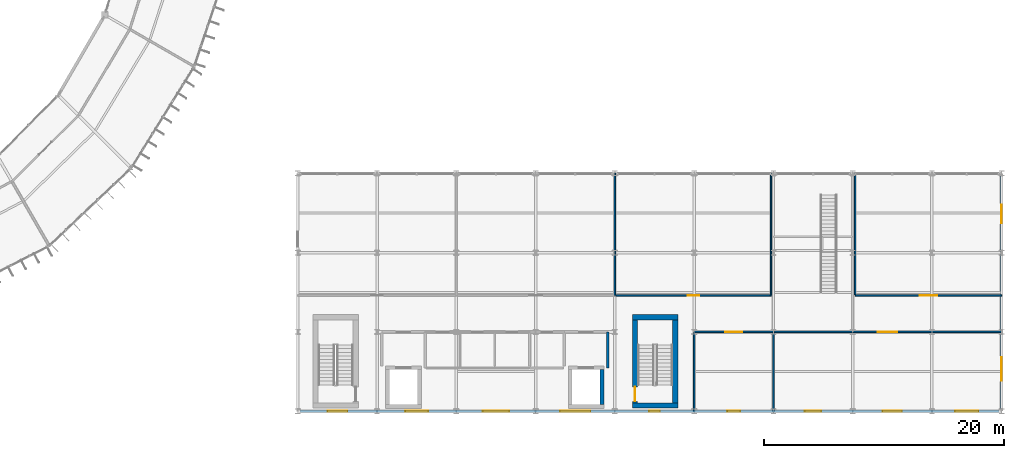
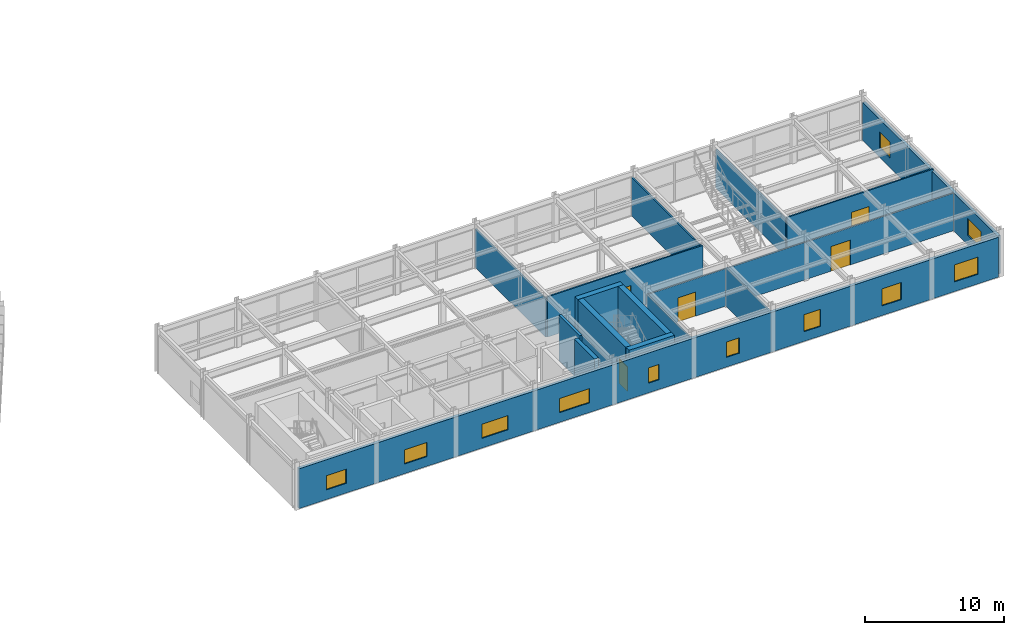
# One storey, part 144 of 157: 17 walls, 11 windows, 5 doors, 16 openings.
"""IFC4 building model written with IfcOpenShell, lengths in metres."""

import ifcopenshell
import ifcopenshell.guid

model = None  # the IFC model being written
_history = None  # IfcOwnerHistory: only IFC2X3 demands one
_inside = {}  # id of a spatial element -> (the spatial element, [elements in it])
_under = {}  # id of a project, library or spatial element -> (it, [spatial elements below it])
_declared = {}  # id of a project -> (the project, [libraries it declares])
_typed = {}  # id of a type object -> (the type object, [elements of that type])
_made_of = {}  # id of a material, layer set ... -> (it, [elements and type objects made of it])


def new_model(schema):
    """Start an empty IFC model of exactly this schema.

    Asked for "IFC4X3", IfcOpenShell would pick the latest addendum, in which some entities
    have other attributes; the version numbers below select the first issue.
    IFC2X3 requires an IfcOwnerHistory on every rooted entity: one is made here for all.
    """
    global model, _history
    if schema == "IFC4X3":
        model = ifcopenshell.file(schema_version=(4, 3, 0, 0))
    else:
        model = ifcopenshell.file(schema=schema)
    _inside.clear()
    _under.clear()
    _declared.clear()
    _typed.clear()
    _made_of.clear()
    _history = None
    if model.schema == "IFC2X3":
        org = make("IfcOrganization", Name="unknown")
        user = make(
            "IfcPersonAndOrganization",
            ThePerson=make("IfcPerson", FamilyName="unknown"),
            TheOrganization=org,
        )
        app = make(
            "IfcApplication",
            ApplicationDeveloper=org,
            Version="unknown",
            ApplicationFullName="unknown",
            ApplicationIdentifier="unknown",
        )
        _history = make(
            "IfcOwnerHistory",
            OwningUser=user,
            OwningApplication=app,
            ChangeAction="ADDED",
            CreationDate=0,
        )
    return model


def make(cls, **values):
    """One entity of the class cls with the attributes given. An attribute that is None is left unset."""
    return model.create_entity(
        cls, **{name: value for name, value in values.items() if value is not None}
    )


def rooted(cls, **values):
    """An entity with a GlobalId (a new one), such as an element, a storey or a relation."""
    return make(cls, GlobalId=ifcopenshell.guid.new(), OwnerHistory=_history, **values)


def si_unit(unit_type, name, prefix=None):
    """IfcSIUnit, for example si_unit("LENGTHUNIT", "METRE", prefix="MILLI")."""
    return make("IfcSIUnit", UnitType=unit_type, Prefix=prefix, Name=name)


def assignment(units):
    """IfcUnitAssignment: the units of a project."""
    return None if units is None else make("IfcUnitAssignment", Units=units)


def point(xyz):
    """IfcCartesianPoint."""
    return None if xyz is None else make("IfcCartesianPoint", Coordinates=xyz)


def direction(xyz):
    """IfcDirection."""
    return None if xyz is None else make("IfcDirection", DirectionRatios=xyz)


def frame(location, z_axis=None, x_axis=None):
    """IfcAxis2Placement3D, a coordinate frame: its origin and axes. An axis left out is left unset."""
    return make(
        "IfcAxis2Placement3D",
        Location=point(location),
        Axis=direction(z_axis),
        RefDirection=direction(x_axis),
    )


def frame_2d(location, x_axis=None):
    """IfcAxis2Placement2D, a coordinate frame in the plane: its origin and x axis."""
    return make(
        "IfcAxis2Placement2D", Location=point(location), RefDirection=direction(x_axis)
    )


def origin():
    """The frame at (0, 0, 0) with its axes left unset."""
    return frame((0.0, 0.0, 0.0))


def place(relative_to, where):
    """IfcLocalPlacement: puts the frame where relative to a parent placement (None: the world)."""
    return make(
        "IfcLocalPlacement", PlacementRelTo=relative_to, RelativePlacement=where
    )


def context(
    kind, dimensions, precision=None, world=None, true_north=None, identifier=None
):
    """IfcGeometricRepresentationContext, for example the 3D "Model" context."""
    return make(
        "IfcGeometricRepresentationContext",
        ContextIdentifier=identifier,
        ContextType=kind,
        CoordinateSpaceDimension=dimensions,
        Precision=precision,
        WorldCoordinateSystem=world,
        TrueNorth=true_north,
    )


def subcontext(parent, identifier, kind, view, scale=None):
    """IfcGeometricRepresentationSubContext, for example "Body" below "Model"."""
    return make(
        "IfcGeometricRepresentationSubContext",
        ContextIdentifier=identifier,
        ContextType=kind,
        ParentContext=parent,
        TargetScale=scale,
        TargetView=view,
    )


def project(units=None, contexts=None):
    """IfcProject with its units and contexts."""
    return rooted(
        "IfcProject",
        Name="project",
        RepresentationContexts=contexts,
        UnitsInContext=assignment(units),
    )


def spatial(cls, under=None, at=None, **own):
    """A site, building, storey or space (cls), placed at a placement, below another one or the project."""
    s = rooted(cls, ObjectPlacement=at, **own)
    if under is not None:
        _under.setdefault(under.id(), (under, []))[1].append(s)
    return s


def profile(cls, at=None, kind="AREA", **sizes):
    """A parametric profile (cls). Its sizes go by their IFC names, for example OverallWidth=200.0."""
    return make(cls, ProfileType=kind, Position=at, **sizes)


def rectangle(**sizes):
    """IfcRectangleProfileDef."""
    return profile("IfcRectangleProfileDef", **sizes)


def extrude(swept, where, along, depth):
    """IfcExtrudedAreaSolid: the profile swept, set in the frame where, extruded along a direction by depth."""
    return make(
        "IfcExtrudedAreaSolid",
        SweptArea=swept,
        Position=where,
        ExtrudedDirection=direction(along),
        Depth=depth,
    )


def shape(context_of_items, identifier, shape_type, items):
    """IfcShapeRepresentation: the items that make up one representation, for example the "Body"."""
    return make(
        "IfcShapeRepresentation",
        ContextOfItems=context_of_items,
        RepresentationIdentifier=identifier,
        RepresentationType=shape_type,
        Items=items,
    )


def material(Name=None, Category=None):
    """IfcMaterial."""
    return make("IfcMaterial", Name=Name, Category=Category)


def layer(
    of_material, thickness, ventilated=None, Name=None, Category=None, Priority=None
):
    """IfcMaterialLayer: one layer of a wall or slab, of a material (None: an air gap)."""
    return make(
        "IfcMaterialLayer",
        Material=of_material,
        LayerThickness=thickness,
        IsVentilated=ventilated,
        Name=Name,
        Category=Category,
        Priority=Priority,
    )


def layer_set(layers, Name=None):
    """IfcMaterialLayerSet."""
    return make("IfcMaterialLayerSet", MaterialLayers=layers, LayerSetName=Name)


def made_of(thing, what):
    """Note that an element or type object is made of a material, layer set ...; save() writes the relation."""
    if what is not None:
        _made_of.setdefault(what.id(), (what, []))[1].append(thing)
    return thing


def type_object(cls, material=None, **own):
    """A type object (cls), such as IfcWallType, which elements share."""
    return made_of(rooted(cls, **own), material)


def element(
    cls,
    number,
    at=None,
    inside=None,
    cuts=None,
    type_object=None,
    material=None,
    context=None,
    identifier="Body",
    shape_type=None,
    held_by="IfcProductDefinitionShape",
    body=None,
    shapes=None,
    **own,
):
    """One element of the class cls, such as IfcWall. Its Tag is "e" and its number.

    at: its placement. inside: the storey or other place that contains it. cuts: it is an
    opening in that element (IfcRelVoidsElement). A single representation is given by context,
    identifier, shape_type and body (its items); several are given by shapes. held_by: the class
    of the entity that holds the representations. save() writes the other relations.
    """
    e = rooted(cls, Tag="e%d" % number, ObjectPlacement=at, **own)
    if body is not None:
        shapes = [shape(context, identifier, shape_type, body)]
    if shapes is not None:
        e.Representation = make(held_by, Representations=shapes)
    if inside is not None:
        _inside.setdefault(inside.id(), (inside, []))[1].append(e)
    if cuts is not None:
        rooted(
            "IfcRelVoidsElement", RelatingBuildingElement=cuts, RelatedOpeningElement=e
        )
    if type_object is not None:
        _typed.setdefault(type_object.id(), (type_object, []))[1].append(e)
    return made_of(e, material)


def fill(opening, filler):
    """IfcRelFillsElement: the door or window that sits in an opening."""
    return rooted(
        "IfcRelFillsElement",
        RelatingOpeningElement=opening,
        RelatedBuildingElement=filler,
    )


def aggregate(whole, parts):
    """IfcRelAggregates: a whole, such as a stair, and the parts it consists of."""
    return rooted("IfcRelAggregates", RelatingObject=whole, RelatedObjects=parts)


def save(model, path):
    """Write the relations noted so far, then the file.

    IfcRelAggregates (storeys below a building ...), IfcRelContainedInSpatialStructure (elements
    in a storey), IfcRelDefinesByType, IfcRelAssociatesMaterial and IfcRelDeclares: one each for
    every whole, place, type object, material and project.
    """
    for whole, parts in _under.values():
        aggregate(whole, parts)
    for where, things in _inside.values():
        rooted(
            "IfcRelContainedInSpatialStructure",
            RelatedElements=things,
            RelatingStructure=where,
        )
    for kind, things in _typed.values():
        rooted("IfcRelDefinesByType", RelatedObjects=things, RelatingType=kind)
    for what, things in _made_of.values():
        rooted("IfcRelAssociatesMaterial", RelatedObjects=things, RelatingMaterial=what)
    for by, libraries in _declared.values():
        rooted("IfcRelDeclares", RelatingContext=by, RelatedDefinitions=libraries)
    model.write(path)


model = new_model("IFC4")

# Units and contexts
model_context = context("Model", 3, precision=1e-05, world=origin(), true_north=direction((0.0, 1.0)))
body_context = subcontext(model_context, "Body", "Model", "MODEL_VIEW")
ifc_project = project(units=[si_unit("LENGTHUNIT", "METRE"), si_unit("AREAUNIT", "SQUARE_METRE"), si_unit("VOLUMEUNIT", "CUBIC_METRE"), si_unit("PLANEANGLEUNIT", "RADIAN"), si_unit("MASSUNIT", "GRAM", prefix="KILO")], contexts=[model_context])

# Site, building, storey
site_placement = place(None, origin())
site = spatial("IfcSite", under=ifc_project, at=site_placement, CompositionType="ELEMENT")
building_placement = place(site_placement, origin())
building = spatial("IfcBuilding", under=site, at=building_placement, Name="Karori Crest Natural Sciences Institute", CompositionType="ELEMENT")
storey_placement = place(building_placement, frame((0.0, 0.0, 13.300048828125)))
storey = spatial("IfcBuildingStorey", under=building, at=storey_placement, Name="L03", CompositionType="ELEMENT", Elevation=13.300048828125)

# Walls
ifc_material_1 = material(Name="Concrete 50 MPa", Category="concrete")
ifc_layer_1 = layer(ifc_material_1, 0.449951171875, Name="Concrete 50 MPa")
ifc_layer_set_1 = layer_set([ifc_layer_1], Name="Concrete 50 MPa")
wall_type_1 = type_object("IfcWallType", Name="IWT-01", PredefinedType="SHEAR", material=ifc_layer_set_1)
for number, where, z_axis, x_axis, name in (
    (1, (131.449951171875, 1.27490234375, 0.0), (0.0, 0.0, 1.0), (1.0, 0.0, 0.0), "Shear wall IW-0133"),
    (2, (131.449951171875, 8.625, 0.0), (0.0, 0.0, 1.0), (1.0, 0.0, 0.0), "Shear wall IW-0134"),
):
    element("IfcWall", number, at=place(storey_placement, frame(where, z_axis=z_axis, x_axis=x_axis)), inside=storey, type_object=wall_type_1, Name=name, PredefinedType="SHEAR", context=body_context, shape_type="SweptSolid", body=[
        extrude(rectangle(XDim=3.800048828125, YDim=0.449951171875, at=frame_2d((1.89990234375, 0.0))), origin(), (0.0, 0.0, 1.0), 4.02001953125),
    ])

# Wall, opening, door
wall_1_placement = place(storey_placement, frame((131.675048828125, 1.501953125, 0.0), z_axis=(0.0, 0.0, 1.0), x_axis=(0.0, 1.0, 0.0)))
wall_1 = element("IfcWall", 3, at=wall_1_placement, inside=storey, type_object=wall_type_1, Name="Shear wall IW-0135", PredefinedType="SHEAR", context=body_context, shape_type="SweptSolid", body=[
    extrude(rectangle(XDim=6.89599609375, YDim=0.449951171875, at=frame_2d((3.447998046875, 0.0))), origin(), (0.0, 0.0, 1.0), 4.02001953125),
])
opening_1_placement = place(wall_1_placement, frame((0.1201171875, 0.0, 0.0)))
opening_1 = element("IfcOpeningElement", 4, at=opening_1_placement, cuts=wall_1, Name="Opening ID-0034", PredefinedType="OPENING", context=body_context, shape_type="SweptSolid", body=[
    extrude(rectangle(XDim=1.199951171875, YDim=2.14990234375, at=frame_2d((0.60009765625, 1.074951171875))), frame((0.0, 0.23486328125, 0.0), z_axis=(0.0, -1.0, 0.0), x_axis=(1.0, 0.0, 0.0)), (0.0, 0.0, 1.0), 0.469970703125),
])
ifc_material_2 = material(Name="Stainless steel 316 and fire-rated timber", Category="steel")
door_type_1 = type_object("IfcDoorType", Name="IDT-01", OperationType="NOTDEFINED", PredefinedType="DOOR", material=ifc_material_2)
door_1_placement = place(opening_1_placement, origin())
door_1 = element("IfcDoor", 5, at=door_1_placement, inside=storey, type_object=door_type_1, Name="Stair ST-04 fire door ID-0034", OperationType="SINGLE_SWING_RIGHT", OverallHeight=2.14990234375, OverallWidth=1.199951171875, PredefinedType="DOOR", context=body_context, shape_type="SweptSolid", body=[
    extrude(rectangle(XDim=1.199951171875, YDim=2.14990234375, at=frame_2d((0.60009765625, 1.074951171875))), frame((0.0, 0.02490234375, 0.0), z_axis=(0.0, -1.0, 0.0), x_axis=(1.0, 0.0, 0.0)), (0.0, 0.0, 1.0), 0.050048828125),
])
fill(opening_1, door_1)

# Walls
wall_2_placement = place(storey_placement, frame((135.02490234375, 1.501953125, 0.0), z_axis=(0.0, 0.0, 1.0), x_axis=(0.0, 1.0, 0.0)))
element("IfcWall", 6, at=wall_2_placement, inside=storey, type_object=wall_type_1, Name="Shear wall IW-0136", PredefinedType="SHEAR", context=body_context, shape_type="SweptSolid", body=[
    extrude(rectangle(XDim=6.89599609375, YDim=0.449951171875, at=frame_2d((3.447998046875, 0.0))), origin(), (0.0, 0.0, 1.0), 4.02001953125),
])
ifc_layer_2 = layer(ifc_material_1, 0.320068359375, Name="Concrete 50 MPa")
ifc_layer_set_2 = layer_set([ifc_layer_2], Name="Concrete 50 MPa")
wall_type_2 = type_object("IfcWallType", Name="IWT-03", PredefinedType="SHEAR", material=ifc_layer_set_2)
wall_3_placement = place(storey_placement, frame((128.919921875, 1.342041015625, 0.0), z_axis=(0.0, 0.0, 1.0), x_axis=(0.0, 1.0, 0.0)))
element("IfcWall", 7, at=wall_3_placement, inside=storey, type_object=wall_type_2, Name="Shear wall IW-0372", PredefinedType="SHEAR", context=body_context, shape_type="SweptSolid", body=[
    extrude(rectangle(XDim=2.916015625, YDim=0.320068359375, at=frame_2d((1.4580078125, 0.0))), origin(), (0.0, 0.0, 1.0), 4.02001953125),
])
ifc_material_3 = material(Name="Concrete 40 MPa", Category="concrete")
ifc_layer_3 = layer(ifc_material_3, 0.199951171875, Name="Concrete 40 MPa")
ifc_layer_set_3 = layer_set([ifc_layer_3], Name="Concrete 40 MPa")
wall_type_3 = type_object("IfcWallType", Name="IWT-04", PredefinedType="SOLIDWALL", material=ifc_layer_set_3)
wall_4_placement = place(storey_placement, frame((129.39990234375, 4.39990234375, 0.0), z_axis=(0.0, 0.0, 1.0), x_axis=(0.0, 1.0, 0.0)))
element("IfcWall", 8, at=wall_4_placement, inside=storey, type_object=wall_type_3, Name="Partition wall IW-0667", PredefinedType="SOLIDWALL", context=body_context, shape_type="SweptSolid", body=[
    extrude(rectangle(XDim=3.0, YDim=0.199951171875, at=frame_2d((1.5, 0.0))), origin(), (0.0, 0.0, 1.0), 4.02001953125),
])

# Wall, opening, door
ifc_material_4 = material(Name="Write-up office acoustic partition")
ifc_layer_4 = layer(ifc_material_4, 0.1201171875, Name="Write-up office acoustic partition")
ifc_layer_set_4 = layer_set([ifc_layer_4], Name="Write-up office acoustic partition")
wall_type_4 = type_object("IfcWallType", Name="IWT-08", PredefinedType="PARTITIONING", material=ifc_layer_set_4)
wall_5_placement = place(storey_placement, frame((136.60009765625, 7.39990234375, 0.0), z_axis=(0.0, 0.0, 1.0), x_axis=(1.0, 0.0, 0.0)))
wall_5 = element("IfcWall", 9, at=wall_5_placement, inside=storey, type_object=wall_type_4, Name="Partition wall IW-0679", PredefinedType="PARTITIONING", context=body_context, shape_type="SweptSolid", body=[
    extrude(rectangle(XDim=6.599853515625, YDim=0.1201171875, at=frame_2d((3.2998046875, 0.0))), origin(), (0.0, 0.0, 1.0), 3.29296875),
])
opening_2_placement = place(wall_5_placement, frame((2.574951171875, 0.0, 0.0)))
opening_2 = element("IfcOpeningElement", 10, at=opening_2_placement, cuts=wall_5, Name="Opening ID-0130", PredefinedType="OPENING", context=body_context, shape_type="SweptSolid", body=[
    extrude(rectangle(XDim=1.449951171875, YDim=2.1201171875, at=frame_2d((0.72509765625, 1.06005859375))), frame((0.0, 0.070068359375, 0.0), z_axis=(0.0, -1.0, 0.0), x_axis=(1.0, 0.0, 0.0)), (0.0, 0.0, 1.0), 0.14013671875),
])
ifc_material_5 = material(Name="Anodised aluminium and acoustic timber", Category="wood")
door_type_2 = type_object("IfcDoorType", Name="IDT-11", OperationType="DOUBLE_DOOR_SINGLE_SWING", PredefinedType="DOOR", material=ifc_material_5)
door_2_placement = place(opening_2_placement, origin())
door_2 = element("IfcDoor", 11, at=door_2_placement, inside=storey, type_object=door_type_2, Name="Seminar Room door ID-0130", OperationType="DOUBLE_DOOR_SINGLE_SWING", OverallHeight=2.1201171875, OverallWidth=1.449951171875, PredefinedType="DOOR", context=body_context, shape_type="SweptSolid", body=[
    extrude(rectangle(XDim=1.449951171875, YDim=2.1201171875, at=frame_2d((0.72509765625, 1.06005859375))), frame((0.0, 0.02490234375, 0.0), z_axis=(0.0, -1.0, 0.0), x_axis=(1.0, 0.0, 0.0)), (0.0, 0.0, 1.0), 0.050048828125),
])
fill(opening_2, door_2)

# Walls
wall_6_placement = place(storey_placement, frame((136.60009765625, 0.800048828125, 0.0), z_axis=(0.0, 0.0, 1.0), x_axis=(0.0, 1.0, 0.0)))
element("IfcWall", 12, at=wall_6_placement, inside=storey, type_object=wall_type_4, Name="Partition wall IW-0680", PredefinedType="PARTITIONING", context=body_context, shape_type="SweptSolid", body=[
    extrude(rectangle(XDim=6.537841796875, YDim=0.1201171875, at=frame_2d((3.26904296875, 0.0))), origin(), (0.0, 0.0, 1.0), 3.3720703125),
])
wall_7_placement = place(storey_placement, frame((143.199951171875, 0.800048828125, 0.0), z_axis=(0.0, 0.0, 1.0), x_axis=(0.0, 1.0, 0.0)))
element("IfcWall", 13, at=wall_7_placement, inside=storey, type_object=wall_type_4, Name="Partition wall IW-0681", PredefinedType="PARTITIONING", context=body_context, shape_type="SweptSolid", body=[
    extrude(rectangle(XDim=6.599853515625, YDim=0.1201171875, at=frame_2d((3.2998046875, 0.0))), origin(), (0.0, 0.0, 1.0), 3.3720703125),
])

# Wall, opening, door
wall_8_placement = place(storey_placement, frame((143.201904296875, 7.39990234375, 0.0), z_axis=(0.0, 0.0, 1.0), x_axis=(1.0, 0.0, 0.0)))
wall_8 = element("IfcWall", 14, at=wall_8_placement, inside=storey, type_object=wall_type_4, Name="Partition wall IW-0682", PredefinedType="PARTITIONING", context=body_context, shape_type="SweptSolid", body=[
    extrude(rectangle(XDim=18.998046875, YDim=0.1201171875, at=frame_2d((9.4990234375, 0.0))), origin(), (0.0, 0.0, 1.0), 3.29296875),
])
opening_3_placement = place(wall_8_placement, frame((8.698974609375, 0.0, 0.0)))
opening_3 = element("IfcOpeningElement", 15, at=opening_3_placement, cuts=wall_8, Name="Opening ID-0131", PredefinedType="OPENING", context=body_context, shape_type="SweptSolid", body=[
    extrude(rectangle(XDim=1.60009765625, YDim=2.179931640625, at=frame_2d((0.800048828125, 1.08984375))), frame((0.0, 0.070068359375, 0.0), z_axis=(0.0, -1.0, 0.0), x_axis=(1.0, 0.0, 0.0)), (0.0, 0.0, 1.0), 0.14013671875),
])
door_type_3 = type_object("IfcDoorType", Name="IDT-13", OperationType="DOUBLE_DOOR_SINGLE_SWING", PredefinedType="DOOR", material=ifc_material_5)
door_3_placement = place(opening_3_placement, origin())
door_3 = element("IfcDoor", 16, at=door_3_placement, inside=storey, type_object=door_type_3, Name="Colloquium Suite door ID-0131", OperationType="DOUBLE_DOOR_SINGLE_SWING", OverallHeight=2.179931640625, OverallWidth=1.60009765625, PredefinedType="DOOR", context=body_context, shape_type="SweptSolid", body=[
    extrude(rectangle(XDim=1.60009765625, YDim=2.179931640625, at=frame_2d((0.800048828125, 1.08984375))), frame((0.0, 0.02490234375, 0.0), z_axis=(0.0, -1.0, 0.0), x_axis=(1.0, 0.0, 0.0)), (0.0, 0.0, 1.0), 0.050048828125),
])
fill(opening_3, door_3)

# Wall
wall_9_placement = place(storey_placement, frame((130.0, 10.449951171875, 0.0), z_axis=(0.0, 0.0, 1.0), x_axis=(0.0, 1.0, 0.0)))
element("IfcWall", 17, at=wall_9_placement, inside=storey, type_object=wall_type_4, Name="Partition wall IW-0686", PredefinedType="PARTITIONING", context=body_context, shape_type="SweptSolid", body=[
    extrude(rectangle(XDim=10.150146484375, YDim=0.1201171875, at=frame_2d((5.0751953125, 0.0))), origin(), (0.0, 0.0, 1.0), 3.3720703125),
])

# Wall, opening, door
wall_10_placement = place(storey_placement, frame((130.06201171875, 10.449951171875, 0.0), z_axis=(0.0, 0.0, 1.0), x_axis=(1.0, 0.0, 0.0)))
wall_10 = element("IfcWall", 18, at=wall_10_placement, inside=storey, type_object=wall_type_4, Name="Partition wall IW-0687", PredefinedType="PARTITIONING", context=body_context, shape_type="SweptSolid", body=[
    extrude(rectangle(XDim=12.93798828125, YDim=0.1201171875, at=frame_2d((6.468994140625, 0.0))), origin(), (0.0, 0.0, 1.0), 3.5458984375),
])
opening_4_placement = place(wall_10_placement, frame((5.993896484375, 0.0, 0.0)))
opening_4 = element("IfcOpeningElement", 19, at=opening_4_placement, cuts=wall_10, Name="Opening ID-0134", PredefinedType="OPENING", context=body_context, shape_type="SweptSolid", body=[
    extrude(rectangle(XDim=0.949951171875, YDim=2.10009765625, at=frame_2d((0.47509765625, 1.050048828125))), frame((0.0, 0.070068359375, 0.0), z_axis=(0.0, -1.0, 0.0), x_axis=(1.0, 0.0, 0.0)), (0.0, 0.0, 1.0), 0.14013671875),
])
door_type_4 = type_object("IfcDoorType", Name="IDT-08", OperationType="NOTDEFINED", PredefinedType="DOOR", material=ifc_material_5)
door_4_placement = place(opening_4_placement, origin())
door_4 = element("IfcDoor", 20, at=door_4_placement, inside=storey, type_object=door_type_4, Name="Quantitative Ecology Studio door ID-0134", OperationType="SINGLE_SWING_LEFT", OverallHeight=2.10009765625, OverallWidth=0.949951171875, PredefinedType="DOOR", context=body_context, shape_type="SweptSolid", body=[
    extrude(rectangle(XDim=0.949951171875, YDim=2.10009765625, at=frame_2d((0.47509765625, 1.050048828125))), frame((0.0, 0.02490234375, 0.0), z_axis=(0.0, -1.0, 0.0), x_axis=(1.0, 0.0, 0.0)), (0.0, 0.0, 1.0), 0.050048828125),
])
fill(opening_4, door_4)

# Wall
wall_11_placement = place(storey_placement, frame((143.0, 10.449951171875, 0.0), z_axis=(0.0, 0.0, 1.0), x_axis=(0.0, 1.0, 0.0)))
element("IfcWall", 21, at=wall_11_placement, inside=storey, type_object=wall_type_4, Name="Partition wall IW-0688", PredefinedType="PARTITIONING", context=body_context, shape_type="SweptSolid", body=[
    extrude(rectangle(XDim=10.150146484375, YDim=0.1201171875, at=frame_2d((5.0751953125, 0.0))), origin(), (0.0, 0.0, 1.0), 3.3720703125),
])

# Wall, opening, door
wall_12_placement = place(storey_placement, frame((150.0, 10.449951171875, 0.0), z_axis=(0.0, 0.0, 1.0), x_axis=(1.0, 0.0, 0.0)))
wall_12 = element("IfcWall", 22, at=wall_12_placement, inside=storey, type_object=wall_type_4, Name="Partition wall IW-0689", PredefinedType="PARTITIONING", context=body_context, shape_type="SweptSolid", body=[
    extrude(rectangle(XDim=12.199951171875, YDim=0.1201171875, at=frame_2d((6.10009765625, 0.0))), origin(), (0.0, 0.0, 1.0), 3.5458984375),
])
opening_5_placement = place(wall_12_placement, frame((5.375, 0.0, 0.0)))
opening_5 = element("IfcOpeningElement", 23, at=opening_5_placement, cuts=wall_12, Name="Opening ID-0135", PredefinedType="OPENING", context=body_context, shape_type="SweptSolid", body=[
    extrude(rectangle(XDim=1.449951171875, YDim=2.1201171875, at=frame_2d((0.72509765625, 1.06005859375))), frame((0.0, 0.070068359375, 0.0), z_axis=(0.0, -1.0, 0.0), x_axis=(1.0, 0.0, 0.0)), (0.0, 0.0, 1.0), 0.14013671875),
])
door_5_placement = place(opening_5_placement, origin())
door_5 = element("IfcDoor", 24, at=door_5_placement, inside=storey, type_object=door_type_2, Name="Seminar Room door ID-0135", OperationType="DOUBLE_DOOR_SINGLE_SWING", OverallHeight=2.1201171875, OverallWidth=1.449951171875, PredefinedType="DOOR", context=body_context, shape_type="SweptSolid", body=[
    extrude(rectangle(XDim=1.449951171875, YDim=2.1201171875, at=frame_2d((0.72509765625, 1.06005859375))), frame((0.0, 0.02490234375, 0.0), z_axis=(0.0, -1.0, 0.0), x_axis=(1.0, 0.0, 0.0)), (0.0, 0.0, 1.0), 0.050048828125),
])
fill(opening_5, door_5)

# Wall
wall_13_placement = place(storey_placement, frame((150.0, 10.511962890625, 0.0), z_axis=(0.0, 0.0, 1.0), x_axis=(0.0, 1.0, 0.0)))
element("IfcWall", 25, at=wall_13_placement, inside=storey, type_object=wall_type_4, Name="Partition wall IW-0690", PredefinedType="PARTITIONING", context=body_context, shape_type="SweptSolid", body=[
    extrude(rectangle(XDim=10.088134765625, YDim=0.1201171875, at=frame_2d((5.0439453125, 0.0))), origin(), (0.0, 0.0, 1.0), 3.3720703125),
])

# Wall, openings, windows
ifc_material_6 = material(Name="Precast concrete 40 MPa", Category="concrete")
ifc_layer_5 = layer(ifc_material_6, 0.239990234375, Name="Precast concrete 40 MPa")
ifc_layer_set_5 = layer_set([ifc_layer_5], Name="Precast concrete 40 MPa")
wall_type_5 = type_object("IfcWallType", Name="WT-04", PredefinedType="SOLIDWALL", material=ifc_layer_set_5)
wall_14_placement = place(storey_placement, frame((162.199951171875, 20.402099609375, 0.0), z_axis=(0.0, 0.0, 1.0), x_axis=(0.0, -1.0, 0.0)))
wall_14 = element("IfcWall", 26, at=wall_14_placement, inside=storey, type_object=wall_type_5, Name="Exterior wall EW-0204", PredefinedType="SOLIDWALL", context=body_context, shape_type="SweptSolid", body=[
    extrude(rectangle(XDim=19.404052734375, YDim=0.239990234375, at=frame_2d((9.7021484375, 0.0))), origin(), (0.0, 0.0, 1.0), 3.3720703125),
])
opening_6_placement = place(wall_14_placement, frame((2.39990234375, 0.0, 0.85009765625)))
opening_6 = element("IfcOpeningElement", 27, at=opening_6_placement, cuts=wall_14, Name="Opening WN-0157", PredefinedType="OPENING", context=body_context, shape_type="SweptSolid", body=[
    extrude(rectangle(XDim=1.550048828125, YDim=1.39990234375, at=frame_2d((0.77490234375, 0.699951171875))), frame((0.0, 0.1298828125, 0.0), z_axis=(0.0, -1.0, 0.0), x_axis=(1.0, 0.0, 0.0)), (0.0, 0.0, 1.0), 0.260009765625),
])
opening_7_placement = place(wall_14_placement, frame((15.10009765625, 0.0, 0.85009765625)))
opening_7 = element("IfcOpeningElement", 28, at=opening_7_placement, cuts=wall_14, Name="Opening WN-0158", PredefinedType="OPENING", context=body_context, shape_type="SweptSolid", body=[
    extrude(rectangle(XDim=1.949951171875, YDim=1.5, at=frame_2d((0.97509765625, 0.75))), frame((0.0, 0.1298828125, 0.0), z_axis=(0.0, -1.0, 0.0), x_axis=(1.0, 0.0, 0.0)), (0.0, 0.0, 1.0), 0.260009765625),
])
ifc_material_7 = material(Name="Double low-E laminated glass", Category="glass")
window_type_1 = type_object("IfcWindowType", Name="WNT-04", PartitioningType="SINGLE_PANEL", PredefinedType="WINDOW", material=ifc_material_7)
window_1_placement = place(opening_6_placement, origin())
window_1 = element("IfcWindow", 29, at=window_1_placement, inside=storey, type_object=window_type_1, Name="Window WN-0157", OverallHeight=1.39990234375, OverallWidth=1.550048828125, PartitioningType="SINGLE_PANEL", PredefinedType="WINDOW", context=body_context, shape_type="SweptSolid", body=[
    extrude(rectangle(XDim=1.550048828125, YDim=1.39990234375, at=frame_2d((0.77490234375, 0.699951171875))), frame((0.0, 0.030029296875, 0.0), z_axis=(0.0, -1.0, 0.0), x_axis=(1.0, 0.0, 0.0)), (0.0, 0.0, 1.0), 0.06005859375),
])
fill(opening_6, window_1)
window_type_2 = type_object("IfcWindowType", Name="WNT-21", PartitioningType="SINGLE_PANEL", PredefinedType="WINDOW", material=ifc_material_7)
window_2_placement = place(opening_7_placement, origin())
window_2 = element("IfcWindow", 30, at=window_2_placement, inside=storey, type_object=window_type_2, Name="Window WN-0158", OverallHeight=1.5, OverallWidth=1.949951171875, PartitioningType="SINGLE_PANEL", PredefinedType="WINDOW", context=body_context, shape_type="SweptSolid", body=[
    extrude(rectangle(XDim=1.949951171875, YDim=1.5, at=frame_2d((0.97509765625, 0.75))), frame((0.0, 0.030029296875, 0.0), z_axis=(0.0, -1.0, 0.0), x_axis=(1.0, 0.0, 0.0)), (0.0, 0.0, 1.0), 0.06005859375),
])
fill(opening_7, window_2)

wall_15_placement = place(storey_placement, frame((162.001953125, 0.800048828125, 0.0), z_axis=(0.0, 0.0, 1.0), x_axis=(-1.0, 0.0, 0.0)))
wall_15 = element("IfcWall", 31, at=wall_15_placement, inside=storey, type_object=wall_type_5, Name="Exterior wall EW-0205", PredefinedType="SOLIDWALL", context=body_context, shape_type="SweptSolid", body=[
    extrude(rectangle(XDim=58.203857421875, YDim=0.239990234375, at=frame_2d((29.10205078125, 0.0))), origin(), (0.0, 0.0, 1.0), 3.5048828125),
])
opening_8_placement = place(wall_15_placement, frame((54.277099609375, 0.0, 0.85009765625)))
opening_8 = element("IfcOpeningElement", 32, at=opening_8_placement, cuts=wall_15, Name="Opening WN-0159", PredefinedType="OPENING", context=body_context, shape_type="SweptSolid", body=[
    extrude(rectangle(XDim=1.64990234375, YDim=1.25, at=frame_2d((0.824951171875, 0.625))), frame((0.0, 0.1298828125, 0.0), z_axis=(0.0, -1.0, 0.0), x_axis=(1.0, 0.0, 0.0)), (0.0, 0.0, 1.0), 0.260009765625),
])
opening_9_placement = place(wall_15_placement, frame((47.552001953125, 0.0, 0.85009765625)))
opening_9 = element("IfcOpeningElement", 33, at=opening_9_placement, cuts=wall_15, Name="Opening WN-0160", PredefinedType="OPENING", context=body_context, shape_type="SweptSolid", body=[
    extrude(rectangle(XDim=1.89990234375, YDim=1.25, at=frame_2d((0.949951171875, 0.625))), frame((0.0, 0.1298828125, 0.0), z_axis=(0.0, -1.0, 0.0), x_axis=(1.0, 0.0, 0.0)), (0.0, 0.0, 1.0), 0.260009765625),
])
opening_10_placement = place(wall_15_placement, frame((40.802001953125, 0.0, 0.85009765625)))
opening_10 = element("IfcOpeningElement", 34, at=opening_10_placement, cuts=wall_15, Name="Opening WN-0161", PredefinedType="OPENING", context=body_context, shape_type="SweptSolid", body=[
    extrude(rectangle(XDim=2.199951171875, YDim=1.25, at=frame_2d((1.10009765625, 0.625))), frame((0.0, 0.1298828125, 0.0), z_axis=(0.0, -1.0, 0.0), x_axis=(1.0, 0.0, 0.0)), (0.0, 0.0, 1.0), 0.260009765625),
])
opening_11_placement = place(wall_15_placement, frame((34.052001953125, 0.0, 0.85009765625)))
opening_11 = element("IfcOpeningElement", 35, at=opening_11_placement, cuts=wall_15, Name="Opening WN-0162", PredefinedType="OPENING", context=body_context, shape_type="SweptSolid", body=[
    extrude(rectangle(XDim=2.5, YDim=1.25, at=frame_2d((1.25, 0.625))), frame((0.0, 0.1298828125, 0.0), z_axis=(0.0, -1.0, 0.0), x_axis=(1.0, 0.0, 0.0)), (0.0, 0.0, 1.0), 0.260009765625),
])
opening_12_placement = place(wall_15_placement, frame((28.251953125, 0.0, 0.85009765625)))
opening_12 = element("IfcOpeningElement", 36, at=opening_12_placement, cuts=wall_15, Name="Opening WN-0163", PredefinedType="OPENING", context=body_context, shape_type="SweptSolid", body=[
    extrude(rectangle(XDim=0.89990234375, YDim=1.35009765625, at=frame_2d((0.449951171875, 0.675048828125))), frame((0.0, 0.1298828125, 0.0), z_axis=(0.0, -1.0, 0.0), x_axis=(1.0, 0.0, 0.0)), (0.0, 0.0, 1.0), 0.260009765625),
])
opening_13_placement = place(wall_15_placement, frame((21.576904296875, 0.0, 0.85009765625)))
opening_13 = element("IfcOpeningElement", 37, at=opening_13_placement, cuts=wall_15, Name="Opening WN-0164", PredefinedType="OPENING", context=body_context, shape_type="SweptSolid", body=[
    extrude(rectangle(XDim=1.050048828125, YDim=1.35009765625, at=frame_2d((0.52490234375, 0.675048828125))), frame((0.0, 0.1298828125, 0.0), z_axis=(0.0, -1.0, 0.0), x_axis=(1.0, 0.0, 0.0)), (0.0, 0.0, 1.0), 0.260009765625),
])
opening_14_placement = place(wall_15_placement, frame((14.826904296875, 0.0, 0.85009765625)))
opening_14 = element("IfcOpeningElement", 38, at=opening_14_placement, cuts=wall_15, Name="Opening WN-0165", PredefinedType="OPENING", context=body_context, shape_type="SweptSolid", body=[
    extrude(rectangle(XDim=1.35009765625, YDim=1.5, at=frame_2d((0.675048828125, 0.75))), frame((0.0, 0.1298828125, 0.0), z_axis=(0.0, -1.0, 0.0), x_axis=(1.0, 0.0, 0.0)), (0.0, 0.0, 1.0), 0.260009765625),
])
opening_15_placement = place(wall_15_placement, frame((8.10205078125, 0.0, 0.85009765625)))
opening_15 = element("IfcOpeningElement", 39, at=opening_15_placement, cuts=wall_15, Name="Opening WN-0166", PredefinedType="OPENING", context=body_context, shape_type="SweptSolid", body=[
    extrude(rectangle(XDim=1.60009765625, YDim=1.5, at=frame_2d((0.800048828125, 0.75))), frame((0.0, 0.1298828125, 0.0), z_axis=(0.0, -1.0, 0.0), x_axis=(1.0, 0.0, 0.0)), (0.0, 0.0, 1.0), 0.260009765625),
])
opening_16_placement = place(wall_15_placement, frame((1.72705078125, 0.0, 0.85009765625)))
opening_16 = element("IfcOpeningElement", 40, at=opening_16_placement, cuts=wall_15, Name="Opening WN-0167", PredefinedType="OPENING", context=body_context, shape_type="SweptSolid", body=[
    extrude(rectangle(XDim=1.949951171875, YDim=1.5, at=frame_2d((0.97509765625, 0.75))), frame((0.0, 0.1298828125, 0.0), z_axis=(0.0, -1.0, 0.0), x_axis=(1.0, 0.0, 0.0)), (0.0, 0.0, 1.0), 0.260009765625),
])
window_type_3 = type_object("IfcWindowType", Name="WNT-13", PartitioningType="SINGLE_PANEL", PredefinedType="WINDOW", material=ifc_material_7)
window_3_placement = place(opening_8_placement, origin())
window_3 = element("IfcWindow", 41, at=window_3_placement, inside=storey, type_object=window_type_3, Name="Window WN-0159", OverallHeight=1.25, OverallWidth=1.64990234375, PartitioningType="SINGLE_PANEL", PredefinedType="WINDOW", context=body_context, shape_type="SweptSolid", body=[
    extrude(rectangle(XDim=1.64990234375, YDim=1.25, at=frame_2d((0.824951171875, 0.625))), frame((0.0, 0.030029296875, 0.0), z_axis=(0.0, -1.0, 0.0), x_axis=(1.0, 0.0, 0.0)), (0.0, 0.0, 1.0), 0.06005859375),
])
fill(opening_8, window_3)
window_type_4 = type_object("IfcWindowType", Name="WNT-14", PartitioningType="SINGLE_PANEL", PredefinedType="WINDOW", material=ifc_material_7)
window_4_placement = place(opening_9_placement, origin())
window_4 = element("IfcWindow", 42, at=window_4_placement, inside=storey, type_object=window_type_4, Name="Window WN-0160", OverallHeight=1.25, OverallWidth=1.89990234375, PartitioningType="SINGLE_PANEL", PredefinedType="WINDOW", context=body_context, shape_type="SweptSolid", body=[
    extrude(rectangle(XDim=1.89990234375, YDim=1.25, at=frame_2d((0.949951171875, 0.625))), frame((0.0, 0.030029296875, 0.0), z_axis=(0.0, -1.0, 0.0), x_axis=(1.0, 0.0, 0.0)), (0.0, 0.0, 1.0), 0.06005859375),
])
fill(opening_9, window_4)
window_type_5 = type_object("IfcWindowType", Name="WNT-15", PartitioningType="SINGLE_PANEL", PredefinedType="WINDOW", material=ifc_material_7)
window_5_placement = place(opening_10_placement, origin())
window_5 = element("IfcWindow", 43, at=window_5_placement, inside=storey, type_object=window_type_5, Name="Window WN-0161", OverallHeight=1.25, OverallWidth=2.199951171875, PartitioningType="SINGLE_PANEL", PredefinedType="WINDOW", context=body_context, shape_type="SweptSolid", body=[
    extrude(rectangle(XDim=2.199951171875, YDim=1.25, at=frame_2d((1.10009765625, 0.625))), frame((0.0, 0.030029296875, 0.0), z_axis=(0.0, -1.0, 0.0), x_axis=(1.0, 0.0, 0.0)), (0.0, 0.0, 1.0), 0.06005859375),
])
fill(opening_10, window_5)
window_type_6 = type_object("IfcWindowType", Name="WNT-16", PartitioningType="SINGLE_PANEL", PredefinedType="WINDOW", material=ifc_material_7)
window_6_placement = place(opening_11_placement, origin())
window_6 = element("IfcWindow", 44, at=window_6_placement, inside=storey, type_object=window_type_6, Name="Window WN-0162", OverallHeight=1.25, OverallWidth=2.5, PartitioningType="SINGLE_PANEL", PredefinedType="WINDOW", context=body_context, shape_type="SweptSolid", body=[
    extrude(rectangle(XDim=2.5, YDim=1.25, at=frame_2d((1.25, 0.625))), frame((0.0, 0.030029296875, 0.0), z_axis=(0.0, -1.0, 0.0), x_axis=(1.0, 0.0, 0.0)), (0.0, 0.0, 1.0), 0.06005859375),
])
fill(opening_11, window_6)
window_type_7 = type_object("IfcWindowType", Name="WNT-17", PartitioningType="SINGLE_PANEL", PredefinedType="WINDOW", material=ifc_material_7)
window_7_placement = place(opening_12_placement, origin())
window_7 = element("IfcWindow", 45, at=window_7_placement, inside=storey, type_object=window_type_7, Name="Window WN-0163", OverallHeight=1.35009765625, OverallWidth=0.89990234375, PartitioningType="SINGLE_PANEL", PredefinedType="WINDOW", context=body_context, shape_type="SweptSolid", body=[
    extrude(rectangle(XDim=0.89990234375, YDim=1.35009765625, at=frame_2d((0.449951171875, 0.675048828125))), frame((0.0, 0.030029296875, 0.0), z_axis=(0.0, -1.0, 0.0), x_axis=(1.0, 0.0, 0.0)), (0.0, 0.0, 1.0), 0.06005859375),
])
fill(opening_12, window_7)
window_type_8 = type_object("IfcWindowType", Name="WNT-18", PartitioningType="SINGLE_PANEL", PredefinedType="WINDOW", material=ifc_material_7)
window_8_placement = place(opening_13_placement, origin())
window_8 = element("IfcWindow", 46, at=window_8_placement, inside=storey, type_object=window_type_8, Name="Window WN-0164", OverallHeight=1.35009765625, OverallWidth=1.050048828125, PartitioningType="SINGLE_PANEL", PredefinedType="WINDOW", context=body_context, shape_type="SweptSolid", body=[
    extrude(rectangle(XDim=1.050048828125, YDim=1.35009765625, at=frame_2d((0.52490234375, 0.675048828125))), frame((0.0, 0.030029296875, 0.0), z_axis=(0.0, -1.0, 0.0), x_axis=(1.0, 0.0, 0.0)), (0.0, 0.0, 1.0), 0.06005859375),
])
fill(opening_13, window_8)
window_type_9 = type_object("IfcWindowType", Name="WNT-19", PartitioningType="SINGLE_PANEL", PredefinedType="WINDOW", material=ifc_material_7)
window_9_placement = place(opening_14_placement, origin())
window_9 = element("IfcWindow", 47, at=window_9_placement, inside=storey, type_object=window_type_9, Name="Window WN-0165", OverallHeight=1.5, OverallWidth=1.35009765625, PartitioningType="SINGLE_PANEL", PredefinedType="WINDOW", context=body_context, shape_type="SweptSolid", body=[
    extrude(rectangle(XDim=1.35009765625, YDim=1.5, at=frame_2d((0.675048828125, 0.75))), frame((0.0, 0.030029296875, 0.0), z_axis=(0.0, -1.0, 0.0), x_axis=(1.0, 0.0, 0.0)), (0.0, 0.0, 1.0), 0.06005859375),
])
fill(opening_14, window_9)
window_type_10 = type_object("IfcWindowType", Name="WNT-20", PartitioningType="SINGLE_PANEL", PredefinedType="WINDOW", material=ifc_material_7)
window_10_placement = place(opening_15_placement, origin())
window_10 = element("IfcWindow", 48, at=window_10_placement, inside=storey, type_object=window_type_10, Name="Window WN-0166", OverallHeight=1.5, OverallWidth=1.60009765625, PartitioningType="SINGLE_PANEL", PredefinedType="WINDOW", context=body_context, shape_type="SweptSolid", body=[
    extrude(rectangle(XDim=1.60009765625, YDim=1.5, at=frame_2d((0.800048828125, 0.75))), frame((0.0, 0.030029296875, 0.0), z_axis=(0.0, -1.0, 0.0), x_axis=(1.0, 0.0, 0.0)), (0.0, 0.0, 1.0), 0.06005859375),
])
fill(opening_15, window_10)
window_11_placement = place(opening_16_placement, origin())
window_11 = element("IfcWindow", 49, at=window_11_placement, inside=storey, type_object=window_type_2, Name="Window WN-0167", OverallHeight=1.5, OverallWidth=1.949951171875, PartitioningType="SINGLE_PANEL", PredefinedType="WINDOW", context=body_context, shape_type="SweptSolid", body=[
    extrude(rectangle(XDim=1.949951171875, YDim=1.5, at=frame_2d((0.97509765625, 0.75))), frame((0.0, 0.030029296875, 0.0), z_axis=(0.0, -1.0, 0.0), x_axis=(1.0, 0.0, 0.0)), (0.0, 0.0, 1.0), 0.06005859375),
])
fill(opening_16, window_11)

save(model, "model.ifc")
